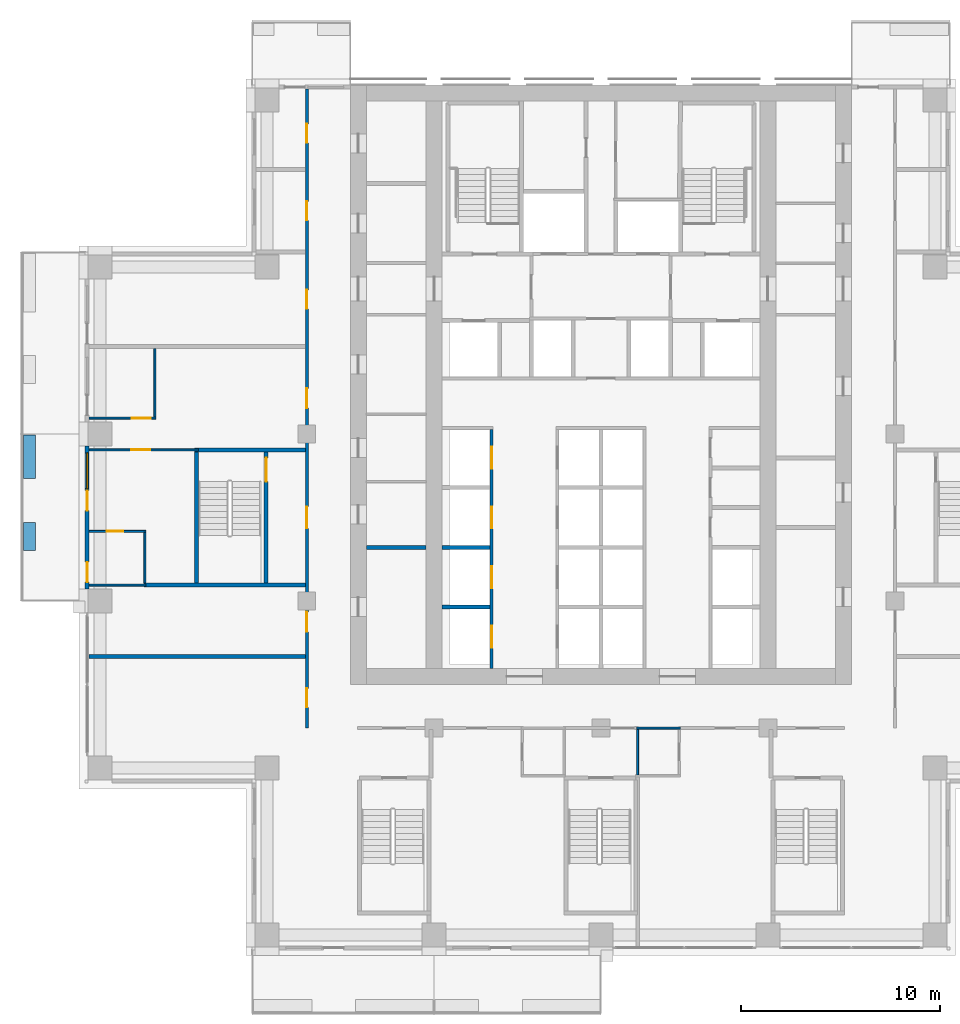
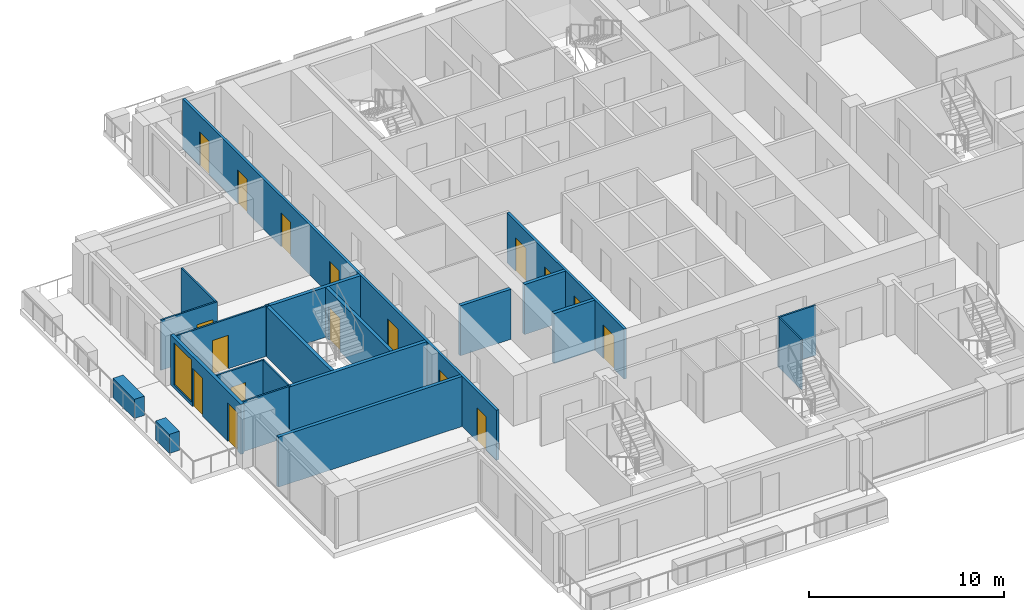
# One storey, part 7 of 16: 21 walls, 17 doors, 1 window, 18 openings.
"""IFC4 building model written with IfcOpenShell, lengths in metres."""

from ifc_helpers import new_model, si_unit, direction, frame, frame_2d, origin, place, context, subcontext, project, spatial, rectangle, extrude, material, layer, layer_set, type_object, element, fill, save


model = new_model("IFC4")

# Units and contexts
model_context = context("Model", 3, precision=1e-05, world=origin(), true_north=direction((0.0, 1.0)))
body_context = subcontext(model_context, "Body", "Model", "MODEL_VIEW")
ifc_project = project(units=[si_unit("LENGTHUNIT", "METRE"), si_unit("AREAUNIT", "SQUARE_METRE"), si_unit("VOLUMEUNIT", "CUBIC_METRE"), si_unit("PLANEANGLEUNIT", "RADIAN"), si_unit("MASSUNIT", "GRAM", prefix="KILO")], contexts=[model_context])

# Site, building, storey
site_placement = place(None, origin())
site = spatial("IfcSite", under=ifc_project, at=site_placement, CompositionType="ELEMENT")
building_placement = place(site_placement, origin())
building = spatial("IfcBuilding", under=site, at=building_placement, Name="Vermilion Ogive Tower", CompositionType="ELEMENT")
storey_placement = place(building_placement, frame((0.0, 0.0, 101.10009765625)))
storey = spatial("IfcBuildingStorey", under=building, at=storey_placement, Name="L25", CompositionType="ELEMENT", Elevation=101.10009765625)

# Walls
ifc_material_1 = material(Name="Gypsum board partition on steel studs", Category="steel")
ifc_layer_1 = layer(ifc_material_1, 0.10009765625)
ifc_layer_set_1 = layer_set([ifc_layer_1], Name="Partition 100 bath")
wall_type_1 = type_object("IfcWallType", Name="Partition 100 bath", PredefinedType="PARTITIONING", material=ifc_layer_set_1)
wall_1_placement = place(storey_placement, frame((1.800048828125, -10.60009765625, 0.0), z_axis=(0.0, 0.0, 1.0), x_axis=(1.0, 0.0, 0.0)))
element("IfcWall", 1, at=wall_1_placement, inside=storey, type_object=wall_type_1, Name="L25-W-W010", PredefinedType="PARTITIONING", context=body_context, shape_type="SweptSolid", body=[
    extrude(rectangle(XDim=2.199951171875, YDim=0.10009765625, at=frame_2d((1.10009765625, 0.0))), origin(), (0.0, 0.0, 1.0), 3.1298828125),
])
wall_2_placement = place(storey_placement, frame((-25.75, -3.39990234375, 0.0), z_axis=(0.0, 0.0, 1.0), x_axis=(1.0, 0.0, 0.0)))
element("IfcWall", 2, at=wall_2_placement, inside=storey, type_object=wall_type_1, Name="L25-W-W014", PredefinedType="PARTITIONING", context=body_context, shape_type="SweptSolid", body=[
    extrude(rectangle(XDim=2.85009765625, YDim=0.10009765625, at=frame_2d((1.425048828125, 0.0))), origin(), (0.0, 0.0, 1.0), 3.1298828125),
])

# Wall, opening, door
wall_3_placement = place(storey_placement, frame((-25.75, -0.699951171875, 0.0), z_axis=(0.0, 0.0, 1.0), x_axis=(1.0, 0.0, 0.0)))
wall_3 = element("IfcWall", 3, at=wall_3_placement, inside=storey, type_object=wall_type_1, Name="L25-W-W020", PredefinedType="PARTITIONING", context=body_context, shape_type="SweptSolid", body=[
    extrude(rectangle(XDim=2.85009765625, YDim=0.10009765625, at=frame_2d((1.425048828125, 0.0))), origin(), (0.0, 0.0, 1.0), 3.1298828125),
])
opening_1_placement = place(wall_3_placement, frame((0.875, 0.0, 0.0)))
opening_1 = element("IfcOpeningElement", 4, at=opening_1_placement, cuts=wall_3, Name="Opening D2G3005", PredefinedType="OPENING", context=body_context, shape_type="SweptSolid", body=[
    extrude(rectangle(XDim=0.85009765625, YDim=2.10009765625, at=frame_2d((0.425048828125, 1.050048828125))), frame((0.0, 0.06005859375, 0.0), z_axis=(0.0, -1.0, 0.0), x_axis=(1.0, 0.0, 0.0)), (0.0, 0.0, 1.0), 0.1201171875),
])
ifc_material_2 = material(Name="Timber door leaf", Category="wood")
door_type_1 = type_object("IfcDoorType", Name="Bath door 850 x 2100 FD30", OperationType="SINGLE_SWING_LEFT", PredefinedType="DOOR", material=ifc_material_2)
door_1_placement = place(opening_1_placement, origin())
door_1 = element("IfcDoor", 5, at=door_1_placement, inside=storey, type_object=door_type_1, Name="L25-D-D005", OperationType="SINGLE_SWING_RIGHT", OverallHeight=2.10009765625, OverallWidth=0.85009765625, PredefinedType="DOOR", context=body_context, shape_type="SweptSolid", body=[
    extrude(rectangle(XDim=0.85009765625, YDim=2.10009765625, at=frame_2d((0.425048828125, 1.050048828125))), frame((0.0, 0.02490234375, 0.0), z_axis=(0.0, -1.0, 0.0), x_axis=(1.0, 0.0, 0.0)), (0.0, 0.0, 1.0), 0.050048828125),
])
fill(opening_1, door_1)

# Walls
wall_4_placement = place(storey_placement, frame((-22.949951171875, -3.300048828125, 0.0), z_axis=(0.0, 0.0, 1.0), x_axis=(0.0, 1.0, 0.0)))
element("IfcWall", 6, at=wall_4_placement, inside=storey, type_object=wall_type_1, Name="L25-W-W032", PredefinedType="PARTITIONING", context=body_context, shape_type="SweptSolid", body=[
    extrude(rectangle(XDim=2.550048828125, YDim=0.10009765625, at=frame_2d((1.27490234375, 0.0))), origin(), (0.0, 0.0, 1.0), 3.1298828125),
])
wall_5_placement = place(storey_placement, frame((1.85009765625, -12.949951171875, 0.0), z_axis=(0.0, 0.0, 1.0), x_axis=(0.0, 1.0, 0.0)))
element("IfcWall", 7, at=wall_5_placement, inside=storey, type_object=wall_type_1, Name="L25-W-W043", PredefinedType="PARTITIONING", context=body_context, shape_type="SweptSolid", body=[
    extrude(rectangle(XDim=2.27490234375, YDim=0.10009765625, at=frame_2d((1.137451171875, 0.0))), origin(), (0.0, 0.0, 1.0), 3.1298828125),
])

# Wall, opening, door
ifc_material_3 = material(Name="Gypsum board partition on steel studs", Category="steel")
ifc_layer_2 = layer(ifc_material_3, 0.10009765625)
ifc_layer_set_2 = layer_set([ifc_layer_2], Name="Partition 100 inner")
wall_type_2 = type_object("IfcWallType", Name="Partition 100 inner", PredefinedType="PARTITIONING", material=ifc_layer_set_2)
wall_6_placement = place(storey_placement, frame((-25.75, 3.39990234375, 0.0), z_axis=(0.0, 0.0, 1.0), x_axis=(1.0, 0.0, 0.0)))
wall_6 = element("IfcWall", 8, at=wall_6_placement, inside=storey, type_object=wall_type_2, Name="L25-W-W021", PredefinedType="PARTITIONING", context=body_context, shape_type="SweptSolid", body=[
    extrude(rectangle(XDim=5.5, YDim=0.10009765625, at=frame_2d((2.75, 0.0))), origin(), (0.0, 0.0, 1.0), 3.1298828125),
])
opening_2_placement = place(wall_6_placement, frame((2.125, 0.0, 0.0)))
opening_2 = element("IfcOpeningElement", 9, at=opening_2_placement, cuts=wall_6, Name="Opening D2G3004", PredefinedType="OPENING", context=body_context, shape_type="SweptSolid", body=[
    extrude(rectangle(XDim=0.949951171875, YDim=2.10009765625, at=frame_2d((0.47509765625, 1.050048828125))), frame((0.0, 0.06005859375, 0.0), z_axis=(0.0, -1.0, 0.0), x_axis=(1.0, 0.0, 0.0)), (0.0, 0.0, 1.0), 0.1201171875),
])
ifc_material_4 = material(Name="Timber door leaf", Category="wood")
door_type_2 = type_object("IfcDoorType", Name="Inner door 950 x 2100 FD30", OperationType="SINGLE_SWING_LEFT", PredefinedType="DOOR", material=ifc_material_4)
door_2_placement = place(opening_2_placement, origin())
door_2 = element("IfcDoor", 10, at=door_2_placement, inside=storey, type_object=door_type_2, Name="L25-D-D004", OperationType="SINGLE_SWING_LEFT", OverallHeight=2.10009765625, OverallWidth=0.949951171875, PredefinedType="DOOR", context=body_context, shape_type="SweptSolid", body=[
    extrude(rectangle(XDim=0.949951171875, YDim=2.10009765625, at=frame_2d((0.47509765625, 1.050048828125))), frame((0.0, 0.02490234375, 0.0), z_axis=(0.0, -1.0, 0.0), x_axis=(1.0, 0.0, 0.0)), (0.0, 0.0, 1.0), 0.050048828125),
])
fill(opening_2, door_2)

wall_7_placement = place(storey_placement, frame((-25.75, 5.0, 0.0), z_axis=(0.0, 0.0, 1.0), x_axis=(1.0, 0.0, 0.0)))
wall_7 = element("IfcWall", 11, at=wall_7_placement, inside=storey, type_object=wall_type_2, Name="L25-W-W025", PredefinedType="PARTITIONING", context=body_context, shape_type="SweptSolid", body=[
    extrude(rectangle(XDim=3.35009765625, YDim=0.10009765625, at=frame_2d((1.675048828125, 0.0))), origin(), (0.0, 0.0, 1.0), 3.1298828125),
])
opening_3_placement = place(wall_7_placement, frame((2.14990234375, 0.0, 0.0)))
opening_3 = element("IfcOpeningElement", 12, at=opening_3_placement, cuts=wall_7, Name="Opening D2G3002", PredefinedType="OPENING", context=body_context, shape_type="SweptSolid", body=[
    extrude(rectangle(XDim=0.949951171875, YDim=2.10009765625, at=frame_2d((0.47509765625, 1.050048828125))), frame((0.0, 0.06005859375, 0.0), z_axis=(0.0, -1.0, 0.0), x_axis=(1.0, 0.0, 0.0)), (0.0, 0.0, 1.0), 0.1201171875),
])
door_3_placement = place(opening_3_placement, origin())
door_3 = element("IfcDoor", 13, at=door_3_placement, inside=storey, type_object=door_type_2, Name="L25-D-D002", OperationType="SINGLE_SWING_RIGHT", OverallHeight=2.10009765625, OverallWidth=0.949951171875, PredefinedType="DOOR", context=body_context, shape_type="SweptSolid", body=[
    extrude(rectangle(XDim=0.949951171875, YDim=2.10009765625, at=frame_2d((0.47509765625, 1.050048828125))), frame((0.0, 0.02490234375, 0.0), z_axis=(0.0, -1.0, 0.0), x_axis=(1.0, 0.0, 0.0)), (0.0, 0.0, 1.0), 0.050048828125),
])
fill(opening_3, door_3)

# Wall
wall_8_placement = place(storey_placement, frame((-22.449951171875, 5.050048828125, 0.0), z_axis=(0.0, 0.0, 1.0), x_axis=(0.0, 1.0, 0.0)))
element("IfcWall", 14, at=wall_8_placement, inside=storey, type_object=wall_type_2, Name="L25-W-W033", PredefinedType="PARTITIONING", context=body_context, shape_type="SweptSolid", body=[
    extrude(rectangle(XDim=3.449951171875, YDim=0.10009765625, at=frame_2d((1.72509765625, 0.0))), origin(), (0.0, 0.0, 1.0), 3.1298828125),
])

# Wall, openings, doors
ifc_material_5 = material(Name="Gypsum board partition on steel studs", Category="steel")
ifc_layer_3 = layer(ifc_material_5, 0.14990234375)
ifc_layer_set_3 = layer_set([ifc_layer_3], Name="Partition 150 corridor")
wall_type_3 = type_object("IfcWallType", Name="Partition 150 corridor", PredefinedType="PARTITIONING", material=ifc_layer_set_3)
wall_9_placement = place(storey_placement, frame((-14.800048828125, -10.60009765625, 0.0), z_axis=(0.0, 0.0, 1.0), x_axis=(0.0, 1.0, 0.0)))
wall_9 = element("IfcWall", 15, at=wall_9_placement, inside=storey, type_object=wall_type_3, Name="L25-W-W036", PredefinedType="PARTITIONING", context=body_context, shape_type="SweptSolid", body=[
    extrude(rectangle(XDim=32.150146484375, YDim=0.14990234375, at=frame_2d((16.0751953125, 0.0))), origin(), (0.0, 0.0, 1.0), 3.1298828125),
])
opening_4_placement = place(wall_9_placement, frame((1.050048828125, 0.0, 0.0)))
opening_4 = element("IfcOpeningElement", 16, at=opening_4_placement, cuts=wall_9, Name="Opening D2G3001", PredefinedType="OPENING", context=body_context, shape_type="SweptSolid", body=[
    extrude(rectangle(XDim=0.949951171875, YDim=2.10009765625, at=frame_2d((0.47509765625, 1.050048828125))), frame((0.0, 0.0849609375, 0.0), z_axis=(0.0, -1.0, 0.0), x_axis=(1.0, 0.0, 0.0)), (0.0, 0.0, 1.0), 0.169921875),
])
opening_5_placement = place(wall_9_placement, frame((16.10009765625, 0.0, 0.0)))
opening_5 = element("IfcOpeningElement", 17, at=opening_5_placement, cuts=wall_9, Name="Opening D2G3003", PredefinedType="OPENING", context=body_context, shape_type="SweptSolid", body=[
    extrude(rectangle(XDim=1.0, YDim=2.10009765625, at=frame_2d((0.5, 1.050048828125))), frame((0.0, 0.0849609375, 0.0), z_axis=(0.0, -1.0, 0.0), x_axis=(1.0, 0.0, 0.0)), (0.0, 0.0, 1.0), 0.169921875),
])
opening_6_placement = place(wall_9_placement, frame((21.10009765625, 0.0, 0.0)))
opening_6 = element("IfcOpeningElement", 18, at=opening_6_placement, cuts=wall_9, Name="Opening D2G3006", PredefinedType="OPENING", context=body_context, shape_type="SweptSolid", body=[
    extrude(rectangle(XDim=0.949951171875, YDim=2.10009765625, at=frame_2d((0.47509765625, 1.050048828125))), frame((0.0, 0.0849609375, 0.0), z_axis=(0.0, -1.0, 0.0), x_axis=(1.0, 0.0, 0.0)), (0.0, 0.0, 1.0), 0.169921875),
])
opening_7_placement = place(wall_9_placement, frame((25.550048828125, 0.0, 0.0)))
opening_7 = element("IfcOpeningElement", 19, at=opening_7_placement, cuts=wall_9, Name="Opening D2G3007", PredefinedType="OPENING", context=body_context, shape_type="SweptSolid", body=[
    extrude(rectangle(XDim=0.949951171875, YDim=2.10009765625, at=frame_2d((0.47509765625, 1.050048828125))), frame((0.0, 0.0849609375, 0.0), z_axis=(0.0, -1.0, 0.0), x_axis=(1.0, 0.0, 0.0)), (0.0, 0.0, 1.0), 0.169921875),
])
opening_8_placement = place(wall_9_placement, frame((29.4501953125, 0.0, 0.0)))
opening_8 = element("IfcOpeningElement", 20, at=opening_8_placement, cuts=wall_9, Name="Opening D2G3008", PredefinedType="OPENING", context=body_context, shape_type="SweptSolid", body=[
    extrude(rectangle(XDim=0.949951171875, YDim=2.10009765625, at=frame_2d((0.47509765625, 1.050048828125))), frame((0.0, 0.0849609375, 0.0), z_axis=(0.0, -1.0, 0.0), x_axis=(1.0, 0.0, 0.0)), (0.0, 0.0, 1.0), 0.169921875),
])
opening_9_placement = place(wall_9_placement, frame((10.050048828125, 0.0, 0.0)))
opening_9 = element("IfcOpeningElement", 21, at=opening_9_placement, cuts=wall_9, Name="Opening D2G3028", PredefinedType="OPENING", context=body_context, shape_type="SweptSolid", body=[
    extrude(rectangle(XDim=1.10009765625, YDim=2.10009765625, at=frame_2d((0.550048828125, 1.050048828125))), frame((0.0, 0.0849609375, 0.0), z_axis=(0.0, -1.0, 0.0), x_axis=(1.0, 0.0, 0.0)), (0.0, 0.0, 1.0), 0.169921875),
])
opening_10_placement = place(wall_9_placement, frame((4.85009765625, 0.0, 0.0)))
opening_10 = element("IfcOpeningElement", 22, at=opening_10_placement, cuts=wall_9, Name="Opening D2G3030", PredefinedType="OPENING", context=body_context, shape_type="SweptSolid", body=[
    extrude(rectangle(XDim=1.0, YDim=2.10009765625, at=frame_2d((0.5, 1.050048828125))), frame((0.0, 0.0849609375, 0.0), z_axis=(0.0, -1.0, 0.0), x_axis=(1.0, 0.0, 0.0)), (0.0, 0.0, 1.0), 0.169921875),
])
ifc_material_6 = material(Name="Timber door leaf", Category="wood")
door_type_3 = type_object("IfcDoorType", Name="Stair door 1100 x 2100 FD60S", OperationType="SINGLE_SWING_LEFT", PredefinedType="DOOR", material=ifc_material_6)
door_4_placement = place(opening_9_placement, origin())
door_4 = element("IfcDoor", 23, at=door_4_placement, inside=storey, type_object=door_type_3, Name="L25-D-D028", OperationType="SINGLE_SWING_RIGHT", OverallHeight=2.10009765625, OverallWidth=1.10009765625, PredefinedType="DOOR", context=body_context, shape_type="SweptSolid", body=[
    extrude(rectangle(XDim=1.10009765625, YDim=2.10009765625, at=frame_2d((0.550048828125, 1.050048828125))), frame((0.0, 0.02490234375, 0.0), z_axis=(0.0, -1.0, 0.0), x_axis=(1.0, 0.0, 0.0)), (0.0, 0.0, 1.0), 0.050048828125),
])
fill(opening_9, door_4)
ifc_material_7 = material(Name="Timber door leaf", Category="wood")
door_type_4 = type_object("IfcDoorType", Name="Unit door 1000 x 2100 FD30S", OperationType="SINGLE_SWING_LEFT", PredefinedType="DOOR", material=ifc_material_7)
door_5_placement = place(opening_5_placement, origin())
door_5 = element("IfcDoor", 24, at=door_5_placement, inside=storey, type_object=door_type_4, Name="L25-D-D003", OperationType="SINGLE_SWING_LEFT", OverallHeight=2.10009765625, OverallWidth=1.0, PredefinedType="DOOR", context=body_context, shape_type="SweptSolid", body=[
    extrude(rectangle(XDim=1.0, YDim=2.10009765625, at=frame_2d((0.5, 1.050048828125))), frame((0.0, 0.02490234375, 0.0), z_axis=(0.0, -1.0, 0.0), x_axis=(1.0, 0.0, 0.0)), (0.0, 0.0, 1.0), 0.050048828125),
])
fill(opening_5, door_5)
door_6_placement = place(opening_10_placement, origin())
door_6 = element("IfcDoor", 25, at=door_6_placement, inside=storey, type_object=door_type_4, Name="L25-D-D030", OperationType="SINGLE_SWING_RIGHT", OverallHeight=2.10009765625, OverallWidth=1.0, PredefinedType="DOOR", context=body_context, shape_type="SweptSolid", body=[
    extrude(rectangle(XDim=1.0, YDim=2.10009765625, at=frame_2d((0.5, 1.050048828125))), frame((0.0, 0.02490234375, 0.0), z_axis=(0.0, -1.0, 0.0), x_axis=(1.0, 0.0, 0.0)), (0.0, 0.0, 1.0), 0.050048828125),
])
fill(opening_10, door_6)
ifc_material_8 = material(Name="Timber door leaf", Category="wood")
door_type_5 = type_object("IfcDoorType", Name="Unit door 950 x 2100 FD30S", OperationType="SINGLE_SWING_LEFT", PredefinedType="DOOR", material=ifc_material_8)
door_7_placement = place(opening_4_placement, origin())
door_7 = element("IfcDoor", 26, at=door_7_placement, inside=storey, type_object=door_type_5, Name="L25-D-D001", OperationType="SINGLE_SWING_LEFT", OverallHeight=2.10009765625, OverallWidth=0.949951171875, PredefinedType="DOOR", context=body_context, shape_type="SweptSolid", body=[
    extrude(rectangle(XDim=0.949951171875, YDim=2.10009765625, at=frame_2d((0.47509765625, 1.050048828125))), frame((0.0, 0.02490234375, 0.0), z_axis=(0.0, -1.0, 0.0), x_axis=(1.0, 0.0, 0.0)), (0.0, 0.0, 1.0), 0.050048828125),
])
fill(opening_4, door_7)
door_8_placement = place(opening_6_placement, origin())
door_8 = element("IfcDoor", 27, at=door_8_placement, inside=storey, type_object=door_type_5, Name="L25-D-D006", OperationType="SINGLE_SWING_RIGHT", OverallHeight=2.10009765625, OverallWidth=0.949951171875, PredefinedType="DOOR", context=body_context, shape_type="SweptSolid", body=[
    extrude(rectangle(XDim=0.949951171875, YDim=2.10009765625, at=frame_2d((0.47509765625, 1.050048828125))), frame((0.0, 0.02490234375, 0.0), z_axis=(0.0, -1.0, 0.0), x_axis=(1.0, 0.0, 0.0)), (0.0, 0.0, 1.0), 0.050048828125),
])
fill(opening_6, door_8)
door_9_placement = place(opening_7_placement, origin())
door_9 = element("IfcDoor", 28, at=door_9_placement, inside=storey, type_object=door_type_5, Name="L25-D-D007", OperationType="SINGLE_SWING_LEFT", OverallHeight=2.10009765625, OverallWidth=0.949951171875, PredefinedType="DOOR", context=body_context, shape_type="SweptSolid", body=[
    extrude(rectangle(XDim=0.949951171875, YDim=2.10009765625, at=frame_2d((0.47509765625, 1.050048828125))), frame((0.0, 0.02490234375, 0.0), z_axis=(0.0, -1.0, 0.0), x_axis=(1.0, 0.0, 0.0)), (0.0, 0.0, 1.0), 0.050048828125),
])
fill(opening_7, door_9)
door_10_placement = place(opening_8_placement, origin())
door_10 = element("IfcDoor", 29, at=door_10_placement, inside=storey, type_object=door_type_5, Name="L25-D-D008", OperationType="SINGLE_SWING_RIGHT", OverallHeight=2.10009765625, OverallWidth=0.949951171875, PredefinedType="DOOR", context=body_context, shape_type="SweptSolid", body=[
    extrude(rectangle(XDim=0.949951171875, YDim=2.10009765625, at=frame_2d((0.47509765625, 1.050048828125))), frame((0.0, 0.02490234375, 0.0), z_axis=(0.0, -1.0, 0.0), x_axis=(1.0, 0.0, 0.0)), (0.0, 0.0, 1.0), 0.050048828125),
])
fill(opening_8, door_10)

wall_10_placement = place(storey_placement, frame((-5.5, -7.59912109375, 0.0), z_axis=(0.0, 0.0, 1.0), x_axis=(0.0, 1.0, 0.0)))
wall_10 = element("IfcWall", 30, at=wall_10_placement, inside=storey, type_object=wall_type_3, Name="L25-CK-W-W023", PredefinedType="PARTITIONING", context=body_context, shape_type="SweptSolid", body=[
    extrude(rectangle(XDim=12.024169921875, YDim=0.14990234375, at=frame_2d((6.01220703125, 0.0))), origin(), (0.0, 0.0, 1.0), 3.1298828125),
])
opening_11_placement = place(wall_10_placement, frame((1.049072265625, 0.0, 0.0)))
opening_11 = element("IfcOpeningElement", 31, at=opening_11_placement, cuts=wall_10, Name="Opening DAA196", PredefinedType="OPENING", context=body_context, shape_type="SweptSolid", body=[
    extrude(rectangle(XDim=1.10009765625, YDim=2.10009765625, at=frame_2d((0.550048828125, 1.050048828125))), frame((0.0, 0.0849609375, 0.0), z_axis=(0.0, -1.0, 0.0), x_axis=(1.0, 0.0, 0.0)), (0.0, 0.0, 1.0), 0.169921875),
])
opening_12_placement = place(wall_10_placement, frame((4.049072265625, 0.0, 0.0)))
opening_12 = element("IfcOpeningElement", 32, at=opening_12_placement, cuts=wall_10, Name="Opening DAA199", PredefinedType="OPENING", context=body_context, shape_type="SweptSolid", body=[
    extrude(rectangle(XDim=1.10009765625, YDim=2.10009765625, at=frame_2d((0.550048828125, 1.050048828125))), frame((0.0, 0.0849609375, 0.0), z_axis=(0.0, -1.0, 0.0), x_axis=(1.0, 0.0, 0.0)), (0.0, 0.0, 1.0), 0.169921875),
])
opening_13_placement = place(wall_10_placement, frame((7.049072265625, 0.0, 0.0)))
opening_13 = element("IfcOpeningElement", 33, at=opening_13_placement, cuts=wall_10, Name="Opening DAA200", PredefinedType="OPENING", context=body_context, shape_type="SweptSolid", body=[
    extrude(rectangle(XDim=1.10009765625, YDim=2.10009765625, at=frame_2d((0.550048828125, 1.050048828125))), frame((0.0, 0.0849609375, 0.0), z_axis=(0.0, -1.0, 0.0), x_axis=(1.0, 0.0, 0.0)), (0.0, 0.0, 1.0), 0.169921875),
])
opening_14_placement = place(wall_10_placement, frame((10.049072265625, 0.0, 0.0)))
opening_14 = element("IfcOpeningElement", 34, at=opening_14_placement, cuts=wall_10, Name="Opening DAA201", PredefinedType="OPENING", context=body_context, shape_type="SweptSolid", body=[
    extrude(rectangle(XDim=1.10009765625, YDim=2.10009765625, at=frame_2d((0.550048828125, 1.050048828125))), frame((0.0, 0.0849609375, 0.0), z_axis=(0.0, -1.0, 0.0), x_axis=(1.0, 0.0, 0.0)), (0.0, 0.0, 1.0), 0.169921875),
])
ifc_material_9 = material(Name="Stainless steel", Category="steel")
door_type_6 = type_object("IfcDoorType", Name="Lift landing door 1100 x 2100", OperationType="SLIDING_TO_LEFT", PredefinedType="DOOR", material=ifc_material_9)
door_11_placement = place(opening_11_placement, origin())
door_11 = element("IfcDoor", 35, at=door_11_placement, inside=storey, type_object=door_type_6, Name="L25-CK-D-D001", OperationType="SLIDING_TO_LEFT", OverallHeight=2.10009765625, OverallWidth=1.10009765625, PredefinedType="DOOR", context=body_context, shape_type="SweptSolid", body=[
    extrude(rectangle(XDim=1.10009765625, YDim=2.10009765625, at=frame_2d((0.550048828125, 1.050048828125))), frame((0.0, 0.02490234375, 0.0), z_axis=(0.0, -1.0, 0.0), x_axis=(1.0, 0.0, 0.0)), (0.0, 0.0, 1.0), 0.050048828125),
])
fill(opening_11, door_11)
door_12_placement = place(opening_12_placement, origin())
door_12 = element("IfcDoor", 36, at=door_12_placement, inside=storey, type_object=door_type_6, Name="L25-CK-D-D002", OperationType="SLIDING_TO_LEFT", OverallHeight=2.10009765625, OverallWidth=1.10009765625, PredefinedType="DOOR", context=body_context, shape_type="SweptSolid", body=[
    extrude(rectangle(XDim=1.10009765625, YDim=2.10009765625, at=frame_2d((0.550048828125, 1.050048828125))), frame((0.0, 0.02490234375, 0.0), z_axis=(0.0, -1.0, 0.0), x_axis=(1.0, 0.0, 0.0)), (0.0, 0.0, 1.0), 0.050048828125),
])
fill(opening_12, door_12)
door_13_placement = place(opening_13_placement, origin())
door_13 = element("IfcDoor", 37, at=door_13_placement, inside=storey, type_object=door_type_6, Name="L25-CK-D-D003", OperationType="SLIDING_TO_LEFT", OverallHeight=2.10009765625, OverallWidth=1.10009765625, PredefinedType="DOOR", context=body_context, shape_type="SweptSolid", body=[
    extrude(rectangle(XDim=1.10009765625, YDim=2.10009765625, at=frame_2d((0.550048828125, 1.050048828125))), frame((0.0, 0.02490234375, 0.0), z_axis=(0.0, -1.0, 0.0), x_axis=(1.0, 0.0, 0.0)), (0.0, 0.0, 1.0), 0.050048828125),
])
fill(opening_13, door_13)
door_14_placement = place(opening_14_placement, origin())
door_14 = element("IfcDoor", 38, at=door_14_placement, inside=storey, type_object=door_type_6, Name="L25-CK-D-D004", OperationType="SLIDING_TO_LEFT", OverallHeight=2.10009765625, OverallWidth=1.10009765625, PredefinedType="DOOR", context=body_context, shape_type="SweptSolid", body=[
    extrude(rectangle(XDim=1.10009765625, YDim=2.10009765625, at=frame_2d((0.550048828125, 1.050048828125))), frame((0.0, 0.02490234375, 0.0), z_axis=(0.0, -1.0, 0.0), x_axis=(1.0, 0.0, 0.0)), (0.0, 0.0, 1.0), 0.050048828125),
])
fill(opening_14, door_14)

# Walls
ifc_material_10 = material(Name="Gypsum board partition on steel studs", Category="steel")
ifc_layer_4 = layer(ifc_material_10, 0.199951171875)
ifc_layer_set_4 = layer_set([ifc_layer_4], Name="Partition 200 party")
wall_type_4 = type_object("IfcWallType", Name="Partition 200 party", PredefinedType="PARTITIONING", material=ifc_layer_set_4)
wall_11_placement = place(storey_placement, frame((-25.75, -7.0, 0.0), z_axis=(0.0, 0.0, 1.0), x_axis=(1.0, 0.0, 0.0)))
element("IfcWall", 39, at=wall_11_placement, inside=storey, type_object=wall_type_4, Name="L25-W-W012", PredefinedType="PARTITIONING", context=body_context, shape_type="SweptSolid", body=[
    extrude(rectangle(XDim=10.875, YDim=0.199951171875, at=frame_2d((5.4375, 0.0))), origin(), (0.0, 0.0, 1.0), 3.1298828125),
])
for number, where, z_axis, x_axis, name in (
    (40, (-7.9990234375, -4.5, 0.0), (0.0, 0.0, 1.0), (1.0, 0.0, 0.0), "L25-CK-W-W001"),
    (41, (-7.9990234375, -1.5, 0.0), (0.0, 0.0, 1.0), (1.0, 0.0, 0.0), "L25-CK-W-W004"),
):
    element("IfcWall", number, at=place(storey_placement, frame(where, z_axis=z_axis, x_axis=x_axis)), inside=storey, type_object=wall_type_4, Name=name, PredefinedType="PARTITIONING", context=body_context, shape_type="SweptSolid", body=[
        extrude(rectangle(XDim=2.424072265625, YDim=0.199951171875, at=frame_2d((1.2119140625, 0.0))), origin(), (0.0, 0.0, 1.0), 3.1298828125),
    ])
wall_12_placement = place(storey_placement, frame((-11.799072265625, -1.5, 0.0), z_axis=(0.0, 0.0, 1.0), x_axis=(1.0, 0.0, 0.0)))
element("IfcWall", 42, at=wall_12_placement, inside=storey, type_object=wall_type_4, Name="L25-CKW-W-W001", PredefinedType="PARTITIONING", context=body_context, shape_type="SweptSolid", body=[
    extrude(rectangle(XDim=2.998046875, YDim=0.199951171875, at=frame_2d((1.4990234375, 0.0))), origin(), (0.0, 0.0, 1.0), 3.1298828125),
])
ifc_material_11 = material(Name="Concrete B60", Category="concrete")
ifc_layer_5 = layer(ifc_material_11, 0.199951171875)
ifc_layer_set_5 = layer_set([ifc_layer_5], Name="Stair shaft wall 200 Concrete B60")
wall_type_5 = type_object("IfcWallType", Name="Stair shaft wall 200 Concrete B60", PredefinedType="SOLIDWALL", material=ifc_layer_set_5)
wall_13_placement = place(storey_placement, frame((-20.449951171875, 3.39990234375, 0.0), z_axis=(0.0, 0.0, 1.0), x_axis=(1.0, 0.0, 0.0)))
element("IfcWall", 43, at=wall_13_placement, inside=storey, type_object=wall_type_5, Name="L25-W-W022", PredefinedType="SOLIDWALL", context=body_context, shape_type="SweptSolid", body=[
    extrude(rectangle(XDim=5.574951171875, YDim=0.199951171875, at=frame_2d((2.78759765625, 0.0))), origin(), (0.0, 0.0, 1.0), 3.1298828125),
])
wall_14_placement = place(storey_placement, frame((-20.35009765625, -3.298095703125, 0.0), z_axis=(0.0, 0.0, 1.0), x_axis=(0.0, 1.0, 0.0)))
element("IfcWall", 44, at=wall_14_placement, inside=storey, type_object=wall_type_5, Name="L25-W-W034", PredefinedType="SOLIDWALL", context=body_context, shape_type="SweptSolid", body=[
    extrude(rectangle(XDim=6.59814453125, YDim=0.199951171875, at=frame_2d((3.299072265625, 0.0))), origin(), (0.0, 0.0, 1.0), 3.1298828125),
])

# Wall, opening, door
wall_15_placement = place(storey_placement, frame((-16.85009765625, -3.300048828125, 0.0), z_axis=(0.0, 0.0, 1.0), x_axis=(0.0, 1.0, 0.0)))
wall_15 = element("IfcWall", 45, at=wall_15_placement, inside=storey, type_object=wall_type_5, Name="L25-W-W035", PredefinedType="SOLIDWALL", context=body_context, shape_type="SweptSolid", body=[
    extrude(rectangle(XDim=6.60009765625, YDim=0.199951171875, at=frame_2d((3.300048828125, 0.0))), origin(), (0.0, 0.0, 1.0), 3.1298828125),
])
opening_15_placement = place(wall_15_placement, frame((5.10009765625, 0.0, 0.0)))
opening_15 = element("IfcOpeningElement", 46, at=opening_15_placement, cuts=wall_15, Name="Opening D2G3029", PredefinedType="OPENING", context=body_context, shape_type="SweptSolid", body=[
    extrude(rectangle(XDim=1.199951171875, YDim=2.10009765625, at=frame_2d((0.60009765625, 1.050048828125))), frame((0.0, 0.10986328125, 0.0), z_axis=(0.0, -1.0, 0.0), x_axis=(1.0, 0.0, 0.0)), (0.0, 0.0, 1.0), 0.219970703125),
])
ifc_material_12 = material(Name="Timber door leaf", Category="wood")
door_type_7 = type_object("IfcDoorType", Name="Stair door 1200 x 2100 FD60S", OperationType="SINGLE_SWING_LEFT", PredefinedType="DOOR", material=ifc_material_12)
door_15_placement = place(opening_15_placement, origin())
door_15 = element("IfcDoor", 47, at=door_15_placement, inside=storey, type_object=door_type_7, Name="L25-D-D029", OperationType="SINGLE_SWING_RIGHT", OverallHeight=2.10009765625, OverallWidth=1.199951171875, PredefinedType="DOOR", context=body_context, shape_type="SweptSolid", body=[
    extrude(rectangle(XDim=1.199951171875, YDim=2.10009765625, at=frame_2d((0.60009765625, 1.050048828125))), frame((0.0, 0.02490234375, 0.0), z_axis=(0.0, -1.0, 0.0), x_axis=(1.0, 0.0, 0.0)), (0.0, 0.0, 1.0), 0.050048828125),
])
fill(opening_15, door_15)

# Walls
wall_16_placement = place(storey_placement, frame((-23.0, -3.39990234375, 0.0), z_axis=(0.0, 0.0, 1.0), x_axis=(1.0, 0.0, 0.0)))
element("IfcWall", 48, at=wall_16_placement, inside=storey, type_object=wall_type_5, Name="L25-W-W015-A", PredefinedType="SOLIDWALL", context=body_context, shape_type="SweptSolid", body=[
    extrude(rectangle(XDim=8.123046875, YDim=0.199951171875, at=frame_2d((4.0615234375, 0.0))), origin(), (0.0, 0.0, 1.0), 3.1298828125),
])
ifc_material_13 = material(Name="Concrete B40", Category="concrete")
ifc_layer_6 = layer(ifc_material_13, 0.60009765625)
ifc_layer_set_6 = layer_set([ifc_layer_6], Name="Structural planter")
wall_type_6 = type_object("IfcWallType", Name="Structural planter", PredefinedType="USERDEFINED", material=ifc_layer_set_6)
wall_17_placement = place(storey_placement, frame((-28.75, 4.139892578125, -0.0400390625), z_axis=(0.0, 0.0, 1.0), x_axis=(0.0, -1.0, 0.0)))
element("IfcWall", 49, at=wall_17_placement, inside=storey, type_object=wall_type_6, Name="Planter W02A1", ObjectType="PLANTER", PredefinedType="USERDEFINED", context=body_context, shape_type="SweptSolid", body=[
    extrude(rectangle(XDim=2.18994140625, YDim=0.60009765625, at=frame_2d((1.094970703125, 0.0))), origin(), (0.0, 0.0, 1.0), 1.199951171875),
])
wall_18_placement = place(storey_placement, frame((-28.75, -0.25, -0.0400390625), z_axis=(0.0, 0.0, 1.0), x_axis=(0.0, -1.0, 0.0)))
element("IfcWall", 50, at=wall_18_placement, inside=storey, type_object=wall_type_6, Name="Planter W02A2", ObjectType="PLANTER", PredefinedType="USERDEFINED", context=body_context, shape_type="SweptSolid", body=[
    extrude(rectangle(XDim=1.39990234375, YDim=0.60009765625, at=frame_2d((0.699951171875, 0.0))), origin(), (0.0, 0.0, 1.0), 1.199951171875),
])

# Wall, openings, doors, window
ifc_material_14 = material(Name="Aluminium window wall framing", Category="aluminium")
ifc_layer_7 = layer(ifc_material_14, 0.199951171875)
ifc_layer_set_7 = layer_set([ifc_layer_7], Name="Window wall")
wall_type_7 = type_object("IfcWallType", Name="Window wall", PredefinedType="STANDARD", material=ifc_layer_set_7)
wall_19_placement = place(storey_placement, frame((-25.85009765625, 3.60009765625, 0.0), z_axis=(0.0, 0.0, 1.0), x_axis=(0.0, -1.0, 0.0)))
wall_19 = element("IfcWall", 51, at=wall_19_placement, inside=storey, type_object=wall_type_7, Name="Window wall W2", PredefinedType="STANDARD", context=body_context, shape_type="SweptSolid", body=[
    extrude(rectangle(XDim=7.2001953125, YDim=0.199951171875, at=frame_2d((3.60009765625, 0.0))), origin(), (0.0, 0.0, 1.0), 3.1298828125),
])
opening_16_placement = place(wall_19_placement, frame((5.85009765625, 0.0, 0.0)))
opening_16 = element("IfcOpeningElement", 52, at=opening_16_placement, cuts=wall_19, Name="Opening D1-W99", PredefinedType="OPENING", context=body_context, shape_type="SweptSolid", body=[
    extrude(rectangle(XDim=1.0, YDim=2.39990234375, at=frame_2d((0.5, 1.199951171875))), frame((0.0, 0.10986328125, 0.0), z_axis=(0.0, -1.0, 0.0), x_axis=(1.0, 0.0, 0.0)), (0.0, 0.0, 1.0), 0.219970703125),
])
opening_17_placement = place(wall_19_placement, frame((0.35009765625, 0.0, 0.199951171875)))
opening_17 = element("IfcOpeningElement", 53, at=opening_17_placement, cuts=wall_19, Name="Opening W1-W00", PredefinedType="OPENING", context=body_context, shape_type="SweptSolid", body=[
    extrude(rectangle(XDim=1.800048828125, YDim=2.64990234375, at=frame_2d((0.89990234375, 1.324951171875))), frame((0.0, 0.10986328125, 0.0), z_axis=(0.0, -1.0, 0.0), x_axis=(1.0, 0.0, 0.0)), (0.0, 0.0, 1.0), 0.219970703125),
])
opening_18_placement = place(wall_19_placement, frame((2.25, 0.0, 0.0)))
opening_18 = element("IfcOpeningElement", 54, at=opening_18_placement, cuts=wall_19, Name="Opening D1-W00", PredefinedType="OPENING", context=body_context, shape_type="SweptSolid", body=[
    extrude(rectangle(XDim=1.0, YDim=2.39990234375, at=frame_2d((0.5, 1.199951171875))), frame((0.0, 0.10986328125, 0.0), z_axis=(0.0, -1.0, 0.0), x_axis=(1.0, 0.0, 0.0)), (0.0, 0.0, 1.0), 0.219970703125),
])
ifc_material_15 = material(Name="Aluminium framed glazed door", Category="aluminium")
door_type_8 = type_object("IfcDoorType", Name="Balcony door D1", OperationType="SINGLE_SWING_LEFT", PredefinedType="DOOR", material=ifc_material_15)
door_16_placement = place(opening_16_placement, origin())
door_16 = element("IfcDoor", 55, at=door_16_placement, inside=storey, type_object=door_type_8, Name="Balcony door W99", OperationType="SINGLE_SWING_LEFT", OverallHeight=2.39990234375, OverallWidth=1.0, PredefinedType="DOOR", context=body_context, shape_type="SweptSolid", body=[
    extrude(rectangle(XDim=1.0, YDim=2.39990234375, at=frame_2d((0.5, 1.199951171875))), frame((0.0, 0.02490234375, 0.0), z_axis=(0.0, -1.0, 0.0), x_axis=(1.0, 0.0, 0.0)), (0.0, 0.0, 1.0), 0.050048828125),
])
fill(opening_16, door_16)
door_17_placement = place(opening_18_placement, origin())
door_17 = element("IfcDoor", 56, at=door_17_placement, inside=storey, type_object=door_type_8, Name="Balcony door W00", OperationType="SINGLE_SWING_LEFT", OverallHeight=2.39990234375, OverallWidth=1.0, PredefinedType="DOOR", context=body_context, shape_type="SweptSolid", body=[
    extrude(rectangle(XDim=1.0, YDim=2.39990234375, at=frame_2d((0.5, 1.199951171875))), frame((0.0, 0.02490234375, 0.0), z_axis=(0.0, -1.0, 0.0), x_axis=(1.0, 0.0, 0.0)), (0.0, 0.0, 1.0), 0.050048828125),
])
fill(opening_18, door_17)
ifc_material_16 = material(Name="Aluminium framed double glazing", Category="aluminium")
window_type = type_object("IfcWindowType", Name="Guest window W1", PartitioningType="SINGLE_PANEL", PredefinedType="WINDOW", material=ifc_material_16)
window_placement = place(opening_17_placement, origin())
window = element("IfcWindow", 57, at=window_placement, inside=storey, type_object=window_type, Name="Window W00", OverallHeight=2.64990234375, OverallWidth=1.800048828125, PartitioningType="SINGLE_PANEL", PredefinedType="WINDOW", context=body_context, shape_type="SweptSolid", body=[
    extrude(rectangle(XDim=1.800048828125, YDim=2.64990234375, at=frame_2d((0.89990234375, 1.324951171875))), frame((0.0, 0.030029296875, 0.0), z_axis=(0.0, -1.0, 0.0), x_axis=(1.0, 0.0, 0.0)), (0.0, 0.0, 1.0), 0.06005859375),
])
fill(opening_17, window)

save(model, "model.ifc")
